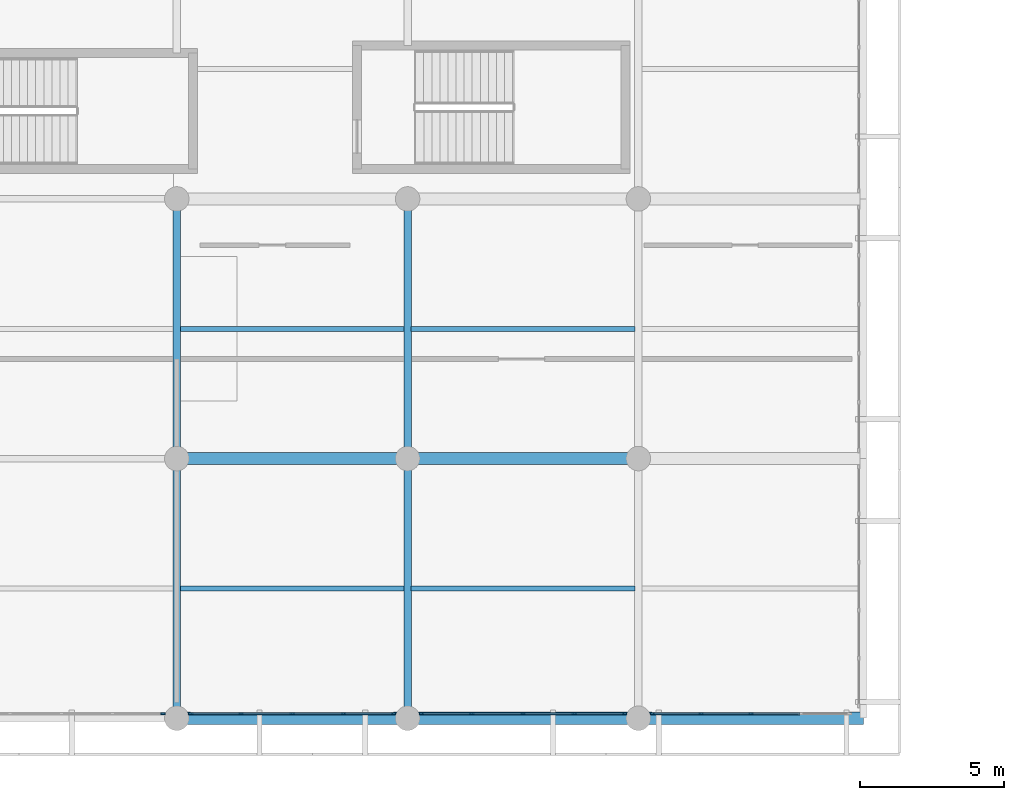
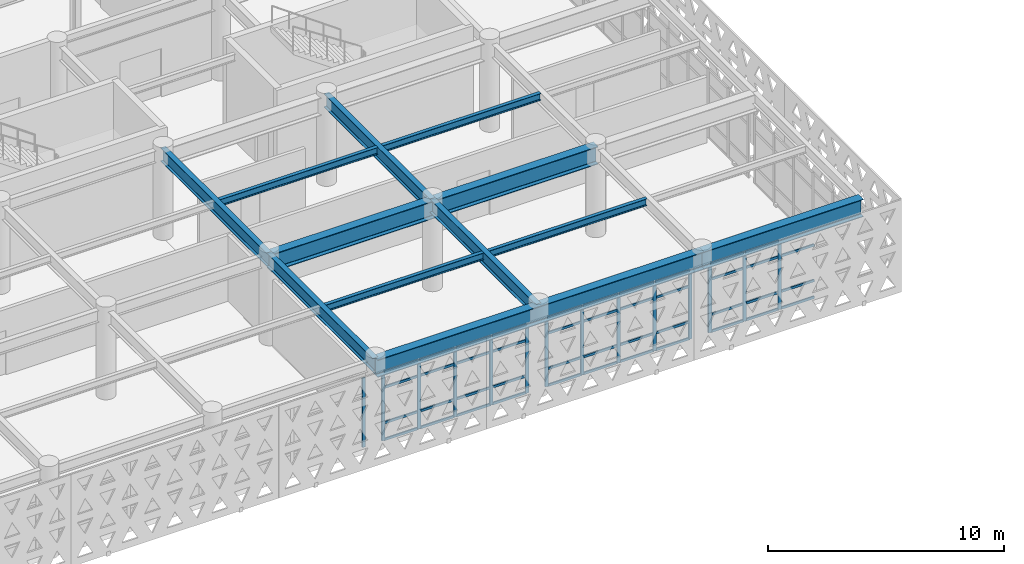
# One storey, part 17 of 54: 57 members, 11 beams, 4 elements without a shape of their own.
"""IFC4 building model written with IfcOpenShell, lengths in metres."""

from ifc_helpers import new_model, si_unit, direction, frame, origin, origin_2d, place, context, subcontext, project, spatial, rectangle, i_section, extrude, material, layer, layer_set, material_profile, profile_set, type_object, element, aggregate, save


model = new_model("IFC4")

# Units and contexts
model_context = context("Model", 3, precision=1e-05, world=origin(), true_north=direction((0.0, 1.0)))
body_context = subcontext(model_context, "Body", "Model", "MODEL_VIEW")
ifc_project = project(units=[si_unit("LENGTHUNIT", "METRE"), si_unit("AREAUNIT", "SQUARE_METRE"), si_unit("VOLUMEUNIT", "CUBIC_METRE"), si_unit("PLANEANGLEUNIT", "RADIAN"), si_unit("MASSUNIT", "GRAM", prefix="KILO")], contexts=[model_context])

# Site, building, storey
site_placement = place(None, origin())
site = spatial("IfcSite", under=ifc_project, at=site_placement, CompositionType="ELEMENT")
building_placement = place(site_placement, origin())
building = spatial("IfcBuilding", under=site, at=building_placement, Name="Tlacozan Convention Centre", CompositionType="ELEMENT")
storey_placement = place(building_placement, frame((0.0, 0.0, 11.39990234375)))
storey = spatial("IfcBuildingStorey", under=building, at=storey_placement, Name="L02", CompositionType="ELEMENT", Elevation=11.39990234375)

# Beam
ifc_material_1 = material(Name="Steel ASTM A992 Grade 50", Category="steel")
ifc_material_profile_1 = material_profile(ifc_material_1, i_section(OverallWidth=0.41796875, OverallDepth=0.912109375, WebThickness=0.019287109375, FlangeThickness=0.031982421875, FilletRadius=0.02001953125, at=origin_2d()), Name="IR 914x342.0")
ifc_profile_set_1 = profile_set([ifc_material_profile_1], Name="Steel ASTM A992 Grade 50")
beam_type_1 = type_object("IfcBeamType", Name="Cantilever Girder IR 914x342", PredefinedType="BEAM", material=ifc_profile_set_1)
beam_placement = place(storey_placement, frame((112.0, 0.0, 4.093994140625), z_axis=(1.0, 0.0, 0.0), x_axis=(0.0, 1.0, 0.0)))
element("IfcBeam", 1, at=beam_placement, inside=storey, type_object=beam_type_1, Name="L02 Cantilever Girder IR 914x342 451", PredefinedType="BEAM", context=body_context, shape_type="SweptSolid", body=[
    extrude(i_section(OverallWidth=0.41796875, OverallDepth=0.912109375, WebThickness=0.019287109375, FlangeThickness=0.031982421875, FilletRadius=0.02001953125, at=origin_2d()), origin(), (0.0, 0.0, 1.0), 7.800048828125),
])

# Curtain wall, member
ifc_material_2 = material(Name="Dark Bronze Anodised Aluminium", Category="aluminium")
ifc_layer = layer(ifc_material_2, 0.159912109375)
ifc_layer_set = layer_set([ifc_layer], Name="Dark Bronze Anodised Aluminium")
curtain_wall_type = type_object("IfcCurtainWallType", Name="Unitised Congress L02 South CW03", PredefinedType="NOTDEFINED", material=ifc_layer_set)
curtain_wall_1_placement = place(storey_placement, origin())
curtain_wall_1 = element("IfcCurtainWall", 2, at=curtain_wall_1_placement, inside=storey, type_object=curtain_wall_type, Name="L02 CW-03 Run 89", PredefinedType="NOTDEFINED")
ifc_material_profile_2 = material_profile(ifc_material_2, rectangle(XDim=0.06494140625, YDim=0.159912109375, at=origin_2d()), Name="ALU 65x160")
ifc_profile_set_2 = profile_set([ifc_material_profile_2], Name="Dark Bronze Anodised Aluminium")
member_type_1 = type_object("IfcMemberType", Name="Curtain Wall Mullion 65x160", PredefinedType="MULLION", material=ifc_profile_set_2)
member_1_placement = place(storey_placement, frame((95.517578125, 0.159912109375, 0.0), z_axis=(0.0, 0.0, 1.0), x_axis=(0.0, 1.0, 0.0)))
member_1 = element("IfcMember", 3, at=member_1_placement, type_object=member_type_1, Name="CW-03 mullion 5", PredefinedType="MULLION", context=body_context, shape_type="SweptSolid", body=[
    extrude(rectangle(XDim=0.06494140625, YDim=0.159912109375, at=origin_2d()), origin(), (0.0, 0.0, 1.0), 3.590087890625),
])
aggregate(curtain_wall_1, [member_1])

# Curtain wall, members
curtain_wall_2_placement = place(storey_placement, origin())
curtain_wall_2 = element("IfcCurtainWall", 4, at=curtain_wall_2_placement, inside=storey, type_object=curtain_wall_type, Name="L02 CW-03 Run 90", PredefinedType="NOTDEFINED")
member_2_placement = place(storey_placement, frame((96.482421875, 0.159912109375, 0.0), z_axis=(0.0, 0.0, 1.0), x_axis=(0.0, 1.0, 0.0)))
member_2 = element("IfcMember", 5, at=member_2_placement, type_object=member_type_1, Name="CW-03 mullion 1", PredefinedType="MULLION", context=body_context, shape_type="SweptSolid", body=[
    extrude(rectangle(XDim=0.06494140625, YDim=0.159912109375, at=origin_2d()), origin(), (0.0, 0.0, 1.0), 3.590087890625),
])
member_3_placement = place(storey_placement, frame((98.22509765625, 0.159912109375, 0.0), z_axis=(0.0, 0.0, 1.0), x_axis=(0.0, 1.0, 0.0)))
member_3 = element("IfcMember", 6, at=member_3_placement, type_object=member_type_1, Name="CW-03 mullion 2", PredefinedType="MULLION", context=body_context, shape_type="SweptSolid", body=[
    extrude(rectangle(XDim=0.06494140625, YDim=0.159912109375, at=origin_2d()), origin(), (0.0, 0.0, 1.0), 3.590087890625),
])
member_4_placement = place(storey_placement, frame((100.0, 0.159912109375, 0.0), z_axis=(0.0, 0.0, 1.0), x_axis=(0.0, 1.0, 0.0)))
member_4 = element("IfcMember", 7, at=member_4_placement, type_object=member_type_1, Name="CW-03 mullion 3", PredefinedType="MULLION", context=body_context, shape_type="SweptSolid", body=[
    extrude(rectangle(XDim=0.06494140625, YDim=0.159912109375, at=origin_2d()), origin(), (0.0, 0.0, 1.0), 3.590087890625),
])
member_5_placement = place(storey_placement, frame((101.77490234375, 0.159912109375, 0.0), z_axis=(0.0, 0.0, 1.0), x_axis=(0.0, 1.0, 0.0)))
member_5 = element("IfcMember", 8, at=member_5_placement, type_object=member_type_1, Name="CW-03 mullion 4", PredefinedType="MULLION", context=body_context, shape_type="SweptSolid", body=[
    extrude(rectangle(XDim=0.06494140625, YDim=0.159912109375, at=origin_2d()), origin(), (0.0, 0.0, 1.0), 3.590087890625),
])
member_6_placement = place(storey_placement, frame((103.517578125, 0.159912109375, 0.0), z_axis=(0.0, 0.0, 1.0), x_axis=(0.0, 1.0, 0.0)))
member_6 = element("IfcMember", 9, at=member_6_placement, type_object=member_type_1, Name="CW-03 mullion 5", PredefinedType="MULLION", context=body_context, shape_type="SweptSolid", body=[
    extrude(rectangle(XDim=0.06494140625, YDim=0.159912109375, at=origin_2d()), origin(), (0.0, 0.0, 1.0), 3.590087890625),
])

curtain_wall_3_placement = place(storey_placement, origin())
curtain_wall_3 = element("IfcCurtainWall", 10, at=curtain_wall_3_placement, inside=storey, type_object=curtain_wall_type, Name="L02 CW-03 Run 91", PredefinedType="NOTDEFINED")
member_7_placement = place(storey_placement, frame((104.482421875, 0.159912109375, 0.0), z_axis=(0.0, 0.0, 1.0), x_axis=(0.0, 1.0, 0.0)))
member_7 = element("IfcMember", 11, at=member_7_placement, type_object=member_type_1, Name="CW-03 mullion 1", PredefinedType="MULLION", context=body_context, shape_type="SweptSolid", body=[
    extrude(rectangle(XDim=0.06494140625, YDim=0.159912109375, at=origin_2d()), origin(), (0.0, 0.0, 1.0), 3.590087890625),
])
member_8_placement = place(storey_placement, frame((106.22509765625, 0.159912109375, 0.0), z_axis=(0.0, 0.0, 1.0), x_axis=(0.0, 1.0, 0.0)))
member_8 = element("IfcMember", 12, at=member_8_placement, type_object=member_type_1, Name="CW-03 mullion 2", PredefinedType="MULLION", context=body_context, shape_type="SweptSolid", body=[
    extrude(rectangle(XDim=0.06494140625, YDim=0.159912109375, at=origin_2d()), origin(), (0.0, 0.0, 1.0), 3.590087890625),
])
member_9_placement = place(storey_placement, frame((108.0, 0.159912109375, 0.0), z_axis=(0.0, 0.0, 1.0), x_axis=(0.0, 1.0, 0.0)))
member_9 = element("IfcMember", 13, at=member_9_placement, type_object=member_type_1, Name="CW-03 mullion 3", PredefinedType="MULLION", context=body_context, shape_type="SweptSolid", body=[
    extrude(rectangle(XDim=0.06494140625, YDim=0.159912109375, at=origin_2d()), origin(), (0.0, 0.0, 1.0), 3.590087890625),
])
member_10_placement = place(storey_placement, frame((109.77490234375, 0.159912109375, 0.0), z_axis=(0.0, 0.0, 1.0), x_axis=(0.0, 1.0, 0.0)))
member_10 = element("IfcMember", 14, at=member_10_placement, type_object=member_type_1, Name="CW-03 mullion 4", PredefinedType="MULLION", context=body_context, shape_type="SweptSolid", body=[
    extrude(rectangle(XDim=0.06494140625, YDim=0.159912109375, at=origin_2d()), origin(), (0.0, 0.0, 1.0), 3.590087890625),
])
member_11_placement = place(storey_placement, frame((111.517578125, 0.159912109375, 0.0), z_axis=(0.0, 0.0, 1.0), x_axis=(0.0, 1.0, 0.0)))
member_11 = element("IfcMember", 15, at=member_11_placement, type_object=member_type_1, Name="CW-03 mullion 5", PredefinedType="MULLION", context=body_context, shape_type="SweptSolid", body=[
    extrude(rectangle(XDim=0.06494140625, YDim=0.159912109375, at=origin_2d()), origin(), (0.0, 0.0, 1.0), 3.590087890625),
])

curtain_wall_4_placement = place(storey_placement, origin())
curtain_wall_4 = element("IfcCurtainWall", 16, at=curtain_wall_4_placement, inside=storey, type_object=curtain_wall_type, Name="L02 CW-03 Run 92", PredefinedType="NOTDEFINED")
member_12_placement = place(storey_placement, frame((112.482421875, 0.159912109375, 0.0), z_axis=(0.0, 0.0, 1.0), x_axis=(0.0, 1.0, 0.0)))
member_12 = element("IfcMember", 17, at=member_12_placement, type_object=member_type_1, Name="CW-03 mullion 1", PredefinedType="MULLION", context=body_context, shape_type="SweptSolid", body=[
    extrude(rectangle(XDim=0.06494140625, YDim=0.159912109375, at=origin_2d()), origin(), (0.0, 0.0, 1.0), 3.590087890625),
])
member_13_placement = place(storey_placement, frame((114.175048828125, 0.159912109375, 0.0), z_axis=(0.0, 0.0, 1.0), x_axis=(0.0, 1.0, 0.0)))
member_13 = element("IfcMember", 18, at=member_13_placement, type_object=member_type_1, Name="CW-03 mullion 2", PredefinedType="MULLION", context=body_context, shape_type="SweptSolid", body=[
    extrude(rectangle(XDim=0.06494140625, YDim=0.159912109375, at=origin_2d()), origin(), (0.0, 0.0, 1.0), 3.590087890625),
])
member_14_placement = place(storey_placement, frame((115.89990234375, 0.159912109375, 0.0), z_axis=(0.0, 0.0, 1.0), x_axis=(0.0, 1.0, 0.0)))
member_14 = element("IfcMember", 19, at=member_14_placement, type_object=member_type_1, Name="CW-03 mullion 3", PredefinedType="MULLION", context=body_context, shape_type="SweptSolid", body=[
    extrude(rectangle(XDim=0.06494140625, YDim=0.159912109375, at=origin_2d()), origin(), (0.0, 0.0, 1.0), 3.590087890625),
])

# Member
ifc_material_profile_3 = material_profile(ifc_material_2, rectangle(XDim=0.06494140625, YDim=0.125, at=origin_2d()), Name="ALU 65x125")
ifc_profile_set_3 = profile_set([ifc_material_profile_3], Name="Dark Bronze Anodised Aluminium")
member_type_2 = type_object("IfcMemberType", Name="Curtain Wall Transom 65x125", PredefinedType="USERDEFINED", material=ifc_profile_set_3)
member_15_placement = place(storey_placement, frame((96.514892578125, 0.159912109375, 0.03271484375), z_axis=(1.0, 0.0, 0.0), x_axis=(0.0, 1.0, 0.0)))
member_15 = element("IfcMember", 20, at=member_15_placement, type_object=member_type_2, Name="CW-03 transom 1.1", ObjectType="TRANSOM", PredefinedType="USERDEFINED", context=body_context, shape_type="SweptSolid", body=[
    extrude(rectangle(XDim=0.06494140625, YDim=0.125, at=origin_2d()), origin(), (0.0, 0.0, 1.0), 1.677490234375),
])

member_16_placement = place(storey_placement, frame((96.514892578125, 0.159912109375, 0.900146484375), z_axis=(1.0, 0.0, 0.0), x_axis=(0.0, 1.0, 0.0)))
member_16 = element("IfcMember", 21, at=member_16_placement, type_object=member_type_2, Name="CW-03 transom 1.2", ObjectType="TRANSOM", PredefinedType="USERDEFINED", context=body_context, shape_type="SweptSolid", body=[
    extrude(rectangle(XDim=0.06494140625, YDim=0.125, at=origin_2d()), origin(), (0.0, 0.0, 1.0), 1.677490234375),
])

member_17_placement = place(storey_placement, frame((96.514892578125, 0.159912109375, 2.739990234375), z_axis=(1.0, 0.0, 0.0), x_axis=(0.0, 1.0, 0.0)))
member_17 = element("IfcMember", 22, at=member_17_placement, type_object=member_type_2, Name="CW-03 transom 1.3", ObjectType="TRANSOM", PredefinedType="USERDEFINED", context=body_context, shape_type="SweptSolid", body=[
    extrude(rectangle(XDim=0.06494140625, YDim=0.125, at=origin_2d()), origin(), (0.0, 0.0, 1.0), 1.677490234375),
])

member_18_placement = place(storey_placement, frame((96.514892578125, 0.159912109375, 3.5576171875), z_axis=(1.0, 0.0, 0.0), x_axis=(0.0, 1.0, 0.0)))
member_18 = element("IfcMember", 23, at=member_18_placement, type_object=member_type_2, Name="CW-03 transom 1.4", ObjectType="TRANSOM", PredefinedType="USERDEFINED", context=body_context, shape_type="SweptSolid", body=[
    extrude(rectangle(XDim=0.06494140625, YDim=0.125, at=origin_2d()), origin(), (0.0, 0.0, 1.0), 1.677490234375),
])

member_19_placement = place(storey_placement, frame((98.257568359375, 0.159912109375, 0.03271484375), z_axis=(1.0, 0.0, 0.0), x_axis=(0.0, 1.0, 0.0)))
member_19 = element("IfcMember", 24, at=member_19_placement, type_object=member_type_2, Name="CW-03 transom 2.1", ObjectType="TRANSOM", PredefinedType="USERDEFINED", context=body_context, shape_type="SweptSolid", body=[
    extrude(rectangle(XDim=0.06494140625, YDim=0.125, at=origin_2d()), origin(), (0.0, 0.0, 1.0), 1.7099609375),
])

member_20_placement = place(storey_placement, frame((98.257568359375, 0.159912109375, 0.900146484375), z_axis=(1.0, 0.0, 0.0), x_axis=(0.0, 1.0, 0.0)))
member_20 = element("IfcMember", 25, at=member_20_placement, type_object=member_type_2, Name="CW-03 transom 2.2", ObjectType="TRANSOM", PredefinedType="USERDEFINED", context=body_context, shape_type="SweptSolid", body=[
    extrude(rectangle(XDim=0.06494140625, YDim=0.125, at=origin_2d()), origin(), (0.0, 0.0, 1.0), 1.7099609375),
])

member_21_placement = place(storey_placement, frame((98.257568359375, 0.159912109375, 2.739990234375), z_axis=(1.0, 0.0, 0.0), x_axis=(0.0, 1.0, 0.0)))
member_21 = element("IfcMember", 26, at=member_21_placement, type_object=member_type_2, Name="CW-03 transom 2.3", ObjectType="TRANSOM", PredefinedType="USERDEFINED", context=body_context, shape_type="SweptSolid", body=[
    extrude(rectangle(XDim=0.06494140625, YDim=0.125, at=origin_2d()), origin(), (0.0, 0.0, 1.0), 1.7099609375),
])

member_22_placement = place(storey_placement, frame((98.257568359375, 0.159912109375, 3.5576171875), z_axis=(1.0, 0.0, 0.0), x_axis=(0.0, 1.0, 0.0)))
member_22 = element("IfcMember", 27, at=member_22_placement, type_object=member_type_2, Name="CW-03 transom 2.4", ObjectType="TRANSOM", PredefinedType="USERDEFINED", context=body_context, shape_type="SweptSolid", body=[
    extrude(rectangle(XDim=0.06494140625, YDim=0.125, at=origin_2d()), origin(), (0.0, 0.0, 1.0), 1.7099609375),
])

member_23_placement = place(storey_placement, frame((100.032470703125, 0.159912109375, 0.03271484375), z_axis=(1.0, 0.0, 0.0), x_axis=(0.0, 1.0, 0.0)))
member_23 = element("IfcMember", 28, at=member_23_placement, type_object=member_type_2, Name="CW-03 transom 3.1", ObjectType="TRANSOM", PredefinedType="USERDEFINED", context=body_context, shape_type="SweptSolid", body=[
    extrude(rectangle(XDim=0.06494140625, YDim=0.125, at=origin_2d()), origin(), (0.0, 0.0, 1.0), 1.7099609375),
])

member_24_placement = place(storey_placement, frame((100.032470703125, 0.159912109375, 0.900146484375), z_axis=(1.0, 0.0, 0.0), x_axis=(0.0, 1.0, 0.0)))
member_24 = element("IfcMember", 29, at=member_24_placement, type_object=member_type_2, Name="CW-03 transom 3.2", ObjectType="TRANSOM", PredefinedType="USERDEFINED", context=body_context, shape_type="SweptSolid", body=[
    extrude(rectangle(XDim=0.06494140625, YDim=0.125, at=origin_2d()), origin(), (0.0, 0.0, 1.0), 1.7099609375),
])

member_25_placement = place(storey_placement, frame((100.032470703125, 0.159912109375, 2.739990234375), z_axis=(1.0, 0.0, 0.0), x_axis=(0.0, 1.0, 0.0)))
member_25 = element("IfcMember", 30, at=member_25_placement, type_object=member_type_2, Name="CW-03 transom 3.3", ObjectType="TRANSOM", PredefinedType="USERDEFINED", context=body_context, shape_type="SweptSolid", body=[
    extrude(rectangle(XDim=0.06494140625, YDim=0.125, at=origin_2d()), origin(), (0.0, 0.0, 1.0), 1.7099609375),
])

member_26_placement = place(storey_placement, frame((100.032470703125, 0.159912109375, 3.5576171875), z_axis=(1.0, 0.0, 0.0), x_axis=(0.0, 1.0, 0.0)))
member_26 = element("IfcMember", 31, at=member_26_placement, type_object=member_type_2, Name="CW-03 transom 3.4", ObjectType="TRANSOM", PredefinedType="USERDEFINED", context=body_context, shape_type="SweptSolid", body=[
    extrude(rectangle(XDim=0.06494140625, YDim=0.125, at=origin_2d()), origin(), (0.0, 0.0, 1.0), 1.7099609375),
])

member_27_placement = place(storey_placement, frame((101.8076171875, 0.159912109375, 0.03271484375), z_axis=(1.0, 0.0, 0.0), x_axis=(0.0, 1.0, 0.0)))
member_27 = element("IfcMember", 32, at=member_27_placement, type_object=member_type_2, Name="CW-03 transom 4.1", ObjectType="TRANSOM", PredefinedType="USERDEFINED", context=body_context, shape_type="SweptSolid", body=[
    extrude(rectangle(XDim=0.06494140625, YDim=0.125, at=origin_2d()), origin(), (0.0, 0.0, 1.0), 1.677490234375),
])

member_28_placement = place(storey_placement, frame((101.8076171875, 0.159912109375, 0.900146484375), z_axis=(1.0, 0.0, 0.0), x_axis=(0.0, 1.0, 0.0)))
member_28 = element("IfcMember", 33, at=member_28_placement, type_object=member_type_2, Name="CW-03 transom 4.2", ObjectType="TRANSOM", PredefinedType="USERDEFINED", context=body_context, shape_type="SweptSolid", body=[
    extrude(rectangle(XDim=0.06494140625, YDim=0.125, at=origin_2d()), origin(), (0.0, 0.0, 1.0), 1.677490234375),
])

member_29_placement = place(storey_placement, frame((101.8076171875, 0.159912109375, 2.739990234375), z_axis=(1.0, 0.0, 0.0), x_axis=(0.0, 1.0, 0.0)))
member_29 = element("IfcMember", 34, at=member_29_placement, type_object=member_type_2, Name="CW-03 transom 4.3", ObjectType="TRANSOM", PredefinedType="USERDEFINED", context=body_context, shape_type="SweptSolid", body=[
    extrude(rectangle(XDim=0.06494140625, YDim=0.125, at=origin_2d()), origin(), (0.0, 0.0, 1.0), 1.677490234375),
])

member_30_placement = place(storey_placement, frame((101.8076171875, 0.159912109375, 3.5576171875), z_axis=(1.0, 0.0, 0.0), x_axis=(0.0, 1.0, 0.0)))
member_30 = element("IfcMember", 35, at=member_30_placement, type_object=member_type_2, Name="CW-03 transom 4.4", ObjectType="TRANSOM", PredefinedType="USERDEFINED", context=body_context, shape_type="SweptSolid", body=[
    extrude(rectangle(XDim=0.06494140625, YDim=0.125, at=origin_2d()), origin(), (0.0, 0.0, 1.0), 1.677490234375),
])

aggregate(curtain_wall_2, [member_2, member_3, member_4, member_5, member_6, member_15, member_16, member_17, member_18, member_19, member_20, member_21, member_22, member_23, member_24, member_25, member_26, member_27, member_28, member_29, member_30])

member_31_placement = place(storey_placement, frame((104.514892578125, 0.159912109375, 0.03271484375), z_axis=(1.0, 0.0, 0.0), x_axis=(0.0, 1.0, 0.0)))
member_31 = element("IfcMember", 36, at=member_31_placement, type_object=member_type_2, Name="CW-03 transom 1.1", ObjectType="TRANSOM", PredefinedType="USERDEFINED", context=body_context, shape_type="SweptSolid", body=[
    extrude(rectangle(XDim=0.06494140625, YDim=0.125, at=origin_2d()), origin(), (0.0, 0.0, 1.0), 1.677490234375),
])

member_32_placement = place(storey_placement, frame((104.514892578125, 0.159912109375, 0.900146484375), z_axis=(1.0, 0.0, 0.0), x_axis=(0.0, 1.0, 0.0)))
member_32 = element("IfcMember", 37, at=member_32_placement, type_object=member_type_2, Name="CW-03 transom 1.2", ObjectType="TRANSOM", PredefinedType="USERDEFINED", context=body_context, shape_type="SweptSolid", body=[
    extrude(rectangle(XDim=0.06494140625, YDim=0.125, at=origin_2d()), origin(), (0.0, 0.0, 1.0), 1.677490234375),
])

member_33_placement = place(storey_placement, frame((104.514892578125, 0.159912109375, 2.739990234375), z_axis=(1.0, 0.0, 0.0), x_axis=(0.0, 1.0, 0.0)))
member_33 = element("IfcMember", 38, at=member_33_placement, type_object=member_type_2, Name="CW-03 transom 1.3", ObjectType="TRANSOM", PredefinedType="USERDEFINED", context=body_context, shape_type="SweptSolid", body=[
    extrude(rectangle(XDim=0.06494140625, YDim=0.125, at=origin_2d()), origin(), (0.0, 0.0, 1.0), 1.677490234375),
])

member_34_placement = place(storey_placement, frame((104.514892578125, 0.159912109375, 3.5576171875), z_axis=(1.0, 0.0, 0.0), x_axis=(0.0, 1.0, 0.0)))
member_34 = element("IfcMember", 39, at=member_34_placement, type_object=member_type_2, Name="CW-03 transom 1.4", ObjectType="TRANSOM", PredefinedType="USERDEFINED", context=body_context, shape_type="SweptSolid", body=[
    extrude(rectangle(XDim=0.06494140625, YDim=0.125, at=origin_2d()), origin(), (0.0, 0.0, 1.0), 1.677490234375),
])

member_35_placement = place(storey_placement, frame((106.257568359375, 0.159912109375, 0.03271484375), z_axis=(1.0, 0.0, 0.0), x_axis=(0.0, 1.0, 0.0)))
member_35 = element("IfcMember", 40, at=member_35_placement, type_object=member_type_2, Name="CW-03 transom 2.1", ObjectType="TRANSOM", PredefinedType="USERDEFINED", context=body_context, shape_type="SweptSolid", body=[
    extrude(rectangle(XDim=0.06494140625, YDim=0.125, at=origin_2d()), origin(), (0.0, 0.0, 1.0), 1.7099609375),
])

member_36_placement = place(storey_placement, frame((106.257568359375, 0.159912109375, 0.900146484375), z_axis=(1.0, 0.0, 0.0), x_axis=(0.0, 1.0, 0.0)))
member_36 = element("IfcMember", 41, at=member_36_placement, type_object=member_type_2, Name="CW-03 transom 2.2", ObjectType="TRANSOM", PredefinedType="USERDEFINED", context=body_context, shape_type="SweptSolid", body=[
    extrude(rectangle(XDim=0.06494140625, YDim=0.125, at=origin_2d()), origin(), (0.0, 0.0, 1.0), 1.7099609375),
])

member_37_placement = place(storey_placement, frame((106.257568359375, 0.159912109375, 2.739990234375), z_axis=(1.0, 0.0, 0.0), x_axis=(0.0, 1.0, 0.0)))
member_37 = element("IfcMember", 42, at=member_37_placement, type_object=member_type_2, Name="CW-03 transom 2.3", ObjectType="TRANSOM", PredefinedType="USERDEFINED", context=body_context, shape_type="SweptSolid", body=[
    extrude(rectangle(XDim=0.06494140625, YDim=0.125, at=origin_2d()), origin(), (0.0, 0.0, 1.0), 1.7099609375),
])

member_38_placement = place(storey_placement, frame((106.257568359375, 0.159912109375, 3.5576171875), z_axis=(1.0, 0.0, 0.0), x_axis=(0.0, 1.0, 0.0)))
member_38 = element("IfcMember", 43, at=member_38_placement, type_object=member_type_2, Name="CW-03 transom 2.4", ObjectType="TRANSOM", PredefinedType="USERDEFINED", context=body_context, shape_type="SweptSolid", body=[
    extrude(rectangle(XDim=0.06494140625, YDim=0.125, at=origin_2d()), origin(), (0.0, 0.0, 1.0), 1.7099609375),
])

member_39_placement = place(storey_placement, frame((108.032470703125, 0.159912109375, 0.03271484375), z_axis=(1.0, 0.0, 0.0), x_axis=(0.0, 1.0, 0.0)))
member_39 = element("IfcMember", 44, at=member_39_placement, type_object=member_type_2, Name="CW-03 transom 3.1", ObjectType="TRANSOM", PredefinedType="USERDEFINED", context=body_context, shape_type="SweptSolid", body=[
    extrude(rectangle(XDim=0.06494140625, YDim=0.125, at=origin_2d()), origin(), (0.0, 0.0, 1.0), 1.7099609375),
])

member_40_placement = place(storey_placement, frame((108.032470703125, 0.159912109375, 0.900146484375), z_axis=(1.0, 0.0, 0.0), x_axis=(0.0, 1.0, 0.0)))
member_40 = element("IfcMember", 45, at=member_40_placement, type_object=member_type_2, Name="CW-03 transom 3.2", ObjectType="TRANSOM", PredefinedType="USERDEFINED", context=body_context, shape_type="SweptSolid", body=[
    extrude(rectangle(XDim=0.06494140625, YDim=0.125, at=origin_2d()), origin(), (0.0, 0.0, 1.0), 1.7099609375),
])

member_41_placement = place(storey_placement, frame((108.032470703125, 0.159912109375, 2.739990234375), z_axis=(1.0, 0.0, 0.0), x_axis=(0.0, 1.0, 0.0)))
member_41 = element("IfcMember", 46, at=member_41_placement, type_object=member_type_2, Name="CW-03 transom 3.3", ObjectType="TRANSOM", PredefinedType="USERDEFINED", context=body_context, shape_type="SweptSolid", body=[
    extrude(rectangle(XDim=0.06494140625, YDim=0.125, at=origin_2d()), origin(), (0.0, 0.0, 1.0), 1.7099609375),
])

member_42_placement = place(storey_placement, frame((108.032470703125, 0.159912109375, 3.5576171875), z_axis=(1.0, 0.0, 0.0), x_axis=(0.0, 1.0, 0.0)))
member_42 = element("IfcMember", 47, at=member_42_placement, type_object=member_type_2, Name="CW-03 transom 3.4", ObjectType="TRANSOM", PredefinedType="USERDEFINED", context=body_context, shape_type="SweptSolid", body=[
    extrude(rectangle(XDim=0.06494140625, YDim=0.125, at=origin_2d()), origin(), (0.0, 0.0, 1.0), 1.7099609375),
])

member_43_placement = place(storey_placement, frame((109.8076171875, 0.159912109375, 0.03271484375), z_axis=(1.0, 0.0, 0.0), x_axis=(0.0, 1.0, 0.0)))
member_43 = element("IfcMember", 48, at=member_43_placement, type_object=member_type_2, Name="CW-03 transom 4.1", ObjectType="TRANSOM", PredefinedType="USERDEFINED", context=body_context, shape_type="SweptSolid", body=[
    extrude(rectangle(XDim=0.06494140625, YDim=0.125, at=origin_2d()), origin(), (0.0, 0.0, 1.0), 1.677490234375),
])

member_44_placement = place(storey_placement, frame((109.8076171875, 0.159912109375, 0.900146484375), z_axis=(1.0, 0.0, 0.0), x_axis=(0.0, 1.0, 0.0)))
member_44 = element("IfcMember", 49, at=member_44_placement, type_object=member_type_2, Name="CW-03 transom 4.2", ObjectType="TRANSOM", PredefinedType="USERDEFINED", context=body_context, shape_type="SweptSolid", body=[
    extrude(rectangle(XDim=0.06494140625, YDim=0.125, at=origin_2d()), origin(), (0.0, 0.0, 1.0), 1.677490234375),
])

member_45_placement = place(storey_placement, frame((109.8076171875, 0.159912109375, 2.739990234375), z_axis=(1.0, 0.0, 0.0), x_axis=(0.0, 1.0, 0.0)))
member_45 = element("IfcMember", 50, at=member_45_placement, type_object=member_type_2, Name="CW-03 transom 4.3", ObjectType="TRANSOM", PredefinedType="USERDEFINED", context=body_context, shape_type="SweptSolid", body=[
    extrude(rectangle(XDim=0.06494140625, YDim=0.125, at=origin_2d()), origin(), (0.0, 0.0, 1.0), 1.677490234375),
])

member_46_placement = place(storey_placement, frame((109.8076171875, 0.159912109375, 3.5576171875), z_axis=(1.0, 0.0, 0.0), x_axis=(0.0, 1.0, 0.0)))
member_46 = element("IfcMember", 51, at=member_46_placement, type_object=member_type_2, Name="CW-03 transom 4.4", ObjectType="TRANSOM", PredefinedType="USERDEFINED", context=body_context, shape_type="SweptSolid", body=[
    extrude(rectangle(XDim=0.06494140625, YDim=0.125, at=origin_2d()), origin(), (0.0, 0.0, 1.0), 1.677490234375),
])

aggregate(curtain_wall_3, [member_7, member_8, member_9, member_10, member_11, member_31, member_32, member_33, member_34, member_35, member_36, member_37, member_38, member_39, member_40, member_41, member_42, member_43, member_44, member_45, member_46])

member_47_placement = place(storey_placement, frame((112.514892578125, 0.159912109375, 0.03271484375), z_axis=(1.0, 0.0, 0.0), x_axis=(0.0, 1.0, 0.0)))
member_47 = element("IfcMember", 52, at=member_47_placement, type_object=member_type_2, Name="CW-03 transom 1.1", ObjectType="TRANSOM", PredefinedType="USERDEFINED", context=body_context, shape_type="SweptSolid", body=[
    extrude(rectangle(XDim=0.06494140625, YDim=0.125, at=origin_2d()), origin(), (0.0, 0.0, 1.0), 1.627685546875),
])

member_48_placement = place(storey_placement, frame((112.514892578125, 0.159912109375, 0.900146484375), z_axis=(1.0, 0.0, 0.0), x_axis=(0.0, 1.0, 0.0)))
member_48 = element("IfcMember", 53, at=member_48_placement, type_object=member_type_2, Name="CW-03 transom 1.2", ObjectType="TRANSOM", PredefinedType="USERDEFINED", context=body_context, shape_type="SweptSolid", body=[
    extrude(rectangle(XDim=0.06494140625, YDim=0.125, at=origin_2d()), origin(), (0.0, 0.0, 1.0), 1.627685546875),
])

member_49_placement = place(storey_placement, frame((112.514892578125, 0.159912109375, 2.739990234375), z_axis=(1.0, 0.0, 0.0), x_axis=(0.0, 1.0, 0.0)))
member_49 = element("IfcMember", 54, at=member_49_placement, type_object=member_type_2, Name="CW-03 transom 1.3", ObjectType="TRANSOM", PredefinedType="USERDEFINED", context=body_context, shape_type="SweptSolid", body=[
    extrude(rectangle(XDim=0.06494140625, YDim=0.125, at=origin_2d()), origin(), (0.0, 0.0, 1.0), 1.627685546875),
])

member_50_placement = place(storey_placement, frame((112.514892578125, 0.159912109375, 3.5576171875), z_axis=(1.0, 0.0, 0.0), x_axis=(0.0, 1.0, 0.0)))
member_50 = element("IfcMember", 55, at=member_50_placement, type_object=member_type_2, Name="CW-03 transom 1.4", ObjectType="TRANSOM", PredefinedType="USERDEFINED", context=body_context, shape_type="SweptSolid", body=[
    extrude(rectangle(XDim=0.06494140625, YDim=0.125, at=origin_2d()), origin(), (0.0, 0.0, 1.0), 1.627685546875),
])

member_51_placement = place(storey_placement, frame((114.20751953125, 0.159912109375, 0.03271484375), z_axis=(1.0, 0.0, 0.0), x_axis=(0.0, 1.0, 0.0)))
member_51 = element("IfcMember", 56, at=member_51_placement, type_object=member_type_2, Name="CW-03 transom 2.1", ObjectType="TRANSOM", PredefinedType="USERDEFINED", context=body_context, shape_type="SweptSolid", body=[
    extrude(rectangle(XDim=0.06494140625, YDim=0.125, at=origin_2d()), origin(), (0.0, 0.0, 1.0), 1.659912109375),
])

member_52_placement = place(storey_placement, frame((114.20751953125, 0.159912109375, 0.900146484375), z_axis=(1.0, 0.0, 0.0), x_axis=(0.0, 1.0, 0.0)))
member_52 = element("IfcMember", 57, at=member_52_placement, type_object=member_type_2, Name="CW-03 transom 2.2", ObjectType="TRANSOM", PredefinedType="USERDEFINED", context=body_context, shape_type="SweptSolid", body=[
    extrude(rectangle(XDim=0.06494140625, YDim=0.125, at=origin_2d()), origin(), (0.0, 0.0, 1.0), 1.659912109375),
])

member_53_placement = place(storey_placement, frame((114.20751953125, 0.159912109375, 2.739990234375), z_axis=(1.0, 0.0, 0.0), x_axis=(0.0, 1.0, 0.0)))
member_53 = element("IfcMember", 58, at=member_53_placement, type_object=member_type_2, Name="CW-03 transom 2.3", ObjectType="TRANSOM", PredefinedType="USERDEFINED", context=body_context, shape_type="SweptSolid", body=[
    extrude(rectangle(XDim=0.06494140625, YDim=0.125, at=origin_2d()), origin(), (0.0, 0.0, 1.0), 1.659912109375),
])

member_54_placement = place(storey_placement, frame((114.20751953125, 0.159912109375, 3.5576171875), z_axis=(1.0, 0.0, 0.0), x_axis=(0.0, 1.0, 0.0)))
member_54 = element("IfcMember", 59, at=member_54_placement, type_object=member_type_2, Name="CW-03 transom 2.4", ObjectType="TRANSOM", PredefinedType="USERDEFINED", context=body_context, shape_type="SweptSolid", body=[
    extrude(rectangle(XDim=0.06494140625, YDim=0.125, at=origin_2d()), origin(), (0.0, 0.0, 1.0), 1.659912109375),
])

member_55_placement = place(storey_placement, frame((115.9326171875, 0.159912109375, 0.03271484375), z_axis=(1.0, 0.0, 0.0), x_axis=(0.0, 1.0, 0.0)))
member_55 = element("IfcMember", 60, at=member_55_placement, type_object=member_type_2, Name="CW-03 transom 3.1", ObjectType="TRANSOM", PredefinedType="USERDEFINED", context=body_context, shape_type="SweptSolid", body=[
    extrude(rectangle(XDim=0.06494140625, YDim=0.125, at=origin_2d()), origin(), (0.0, 0.0, 1.0), 1.659912109375),
])

member_56_placement = place(storey_placement, frame((115.9326171875, 0.159912109375, 0.900146484375), z_axis=(1.0, 0.0, 0.0), x_axis=(0.0, 1.0, 0.0)))
member_56 = element("IfcMember", 61, at=member_56_placement, type_object=member_type_2, Name="CW-03 transom 3.2", ObjectType="TRANSOM", PredefinedType="USERDEFINED", context=body_context, shape_type="SweptSolid", body=[
    extrude(rectangle(XDim=0.06494140625, YDim=0.125, at=origin_2d()), origin(), (0.0, 0.0, 1.0), 1.659912109375),
])

member_57_placement = place(storey_placement, frame((115.9326171875, 0.159912109375, 2.739990234375), z_axis=(1.0, 0.0, 0.0), x_axis=(0.0, 1.0, 0.0)))
member_57 = element("IfcMember", 62, at=member_57_placement, type_object=member_type_2, Name="CW-03 transom 3.3", ObjectType="TRANSOM", PredefinedType="USERDEFINED", context=body_context, shape_type="SweptSolid", body=[
    extrude(rectangle(XDim=0.06494140625, YDim=0.125, at=origin_2d()), origin(), (0.0, 0.0, 1.0), 1.659912109375),
])

aggregate(curtain_wall_4, [member_12, member_13, member_14, member_47, member_48, member_49, member_50, member_51, member_52, member_53, member_54, member_55, member_56, member_57])

# Beams
ifc_material_profile_4 = material_profile(ifc_material_1, i_section(OverallWidth=0.256103515625, OverallDepth=0.693115234375, WebThickness=0.014404296875, FlangeThickness=0.023681640625, FilletRadius=0.014892578125, at=origin_2d()), Name="IR 686x170.0")
ifc_profile_set_4 = profile_set([ifc_material_profile_4], Name="Steel ASTM A992 Grade 50")
beam_type_2 = type_object("IfcBeamType", Name="Girder Steel IR 686x170", PredefinedType="BEAM", material=ifc_profile_set_4)
for number, where, z_axis, x_axis, name in (
    (63, (96.0, 0.0, 4.20361328125), (0.0, 1.0, 0.0), (-1.0, 0.0, 0.0), "L02 Girder Steel IR 686x170 433"),
    (64, (96.0, 9.0, 4.20361328125), (0.0, 1.0, 0.0), (-1.0, 0.0, 0.0), "L02 Girder Steel IR 686x170 434"),
    (65, (104.0, 0.0, 4.20361328125), (0.0, 1.0, 0.0), (-1.0, 0.0, 0.0), "L02 Girder Steel IR 686x170 436"),
    (66, (104.0, 9.0, 4.20361328125), (0.0, 1.0, 0.0), (-1.0, 0.0, 0.0), "L02 Girder Steel IR 686x170 437"),
):
    element("IfcBeam", number, at=place(storey_placement, frame(where, z_axis=z_axis, x_axis=x_axis)), inside=storey, type_object=beam_type_2, Name=name, PredefinedType="BEAM", context=body_context, shape_type="SweptSolid", body=[
        extrude(i_section(OverallWidth=0.256103515625, OverallDepth=0.693115234375, WebThickness=0.014404296875, FlangeThickness=0.023681640625, FilletRadius=0.014892578125, at=origin_2d()), origin(), (0.0, 0.0, 1.0), 9.0),
    ])
ifc_material_profile_5 = material_profile(ifc_material_1, i_section(OverallWidth=0.173095703125, OverallDepth=0.364013671875, WebThickness=0.009033203125, FlangeThickness=0.015625, FilletRadius=0.010009765625, at=origin_2d()), Name="IR 356x67.1")
ifc_profile_set_5 = profile_set([ifc_material_profile_5], Name="Steel ASTM A992 Grade 50")
beam_type_3 = type_object("IfcBeamType", Name="Secondary Joist IR 356x67.1", PredefinedType="JOIST", material=ifc_profile_set_5)
for number, where, z_axis, x_axis, name in (
    (67, (96.1259765625, 4.5, 4.3681640625), (1.0, 0.0, 0.0), (0.0, 1.0, 0.0), "L02 Secondary Joist IR 356x67.1 529"),
    (68, (96.1259765625, 13.5, 4.3681640625), (1.0, 0.0, 0.0), (0.0, 1.0, 0.0), "L02 Secondary Joist IR 356x67.1 530"),
    (69, (104.1259765625, 4.5, 4.3681640625), (1.0, 0.0, 0.0), (0.0, 1.0, 0.0), "L02 Secondary Joist IR 356x67.1 532"),
    (70, (104.1259765625, 13.5, 4.3681640625), (1.0, 0.0, 0.0), (0.0, 1.0, 0.0), "L02 Secondary Joist IR 356x67.1 533"),
):
    element("IfcBeam", number, at=place(storey_placement, frame(where, z_axis=z_axis, x_axis=x_axis)), inside=storey, type_object=beam_type_3, Name=name, PredefinedType="JOIST", context=body_context, shape_type="SweptSolid", body=[
        extrude(i_section(OverallWidth=0.173095703125, OverallDepth=0.364013671875, WebThickness=0.009033203125, FlangeThickness=0.015625, FilletRadius=0.010009765625, at=origin_2d()), origin(), (0.0, 0.0, 1.0), 7.748046875),
    ])
ifc_material_profile_6 = material_profile(ifc_material_1, i_section(OverallWidth=0.41796875, OverallDepth=0.912109375, WebThickness=0.019287109375, FlangeThickness=0.031982421875, FilletRadius=0.02001953125, at=origin_2d()), Name="IR 914x342.0")
ifc_profile_set_6 = profile_set([ifc_material_profile_6], Name="Steel ASTM A992 Grade 50")
beam_type_4 = type_object("IfcBeamType", Name="Transfer Girder IR 914x342", PredefinedType="BEAM", material=ifc_profile_set_6)
for number, where, z_axis, x_axis, name in (
    (71, (96.0, 0.0, 4.093994140625), (1.0, 0.0, 0.0), (0.0, 1.0, 0.0), "L02 Transfer Girder IR 914x342 450"),
    (72, (96.0, 9.0, 4.093994140625), (1.0, 0.0, 0.0), (0.0, 1.0, 0.0), "L02 Transfer Girder IR 914x342 454"),
):
    element("IfcBeam", number, at=place(storey_placement, frame(where, z_axis=z_axis, x_axis=x_axis)), inside=storey, type_object=beam_type_4, Name=name, PredefinedType="BEAM", context=body_context, shape_type="SweptSolid", body=[
        extrude(i_section(OverallWidth=0.41796875, OverallDepth=0.912109375, WebThickness=0.019287109375, FlangeThickness=0.031982421875, FilletRadius=0.02001953125, at=origin_2d()), origin(), (0.0, 0.0, 1.0), 16.0),
    ])

save(model, "model.ifc")
